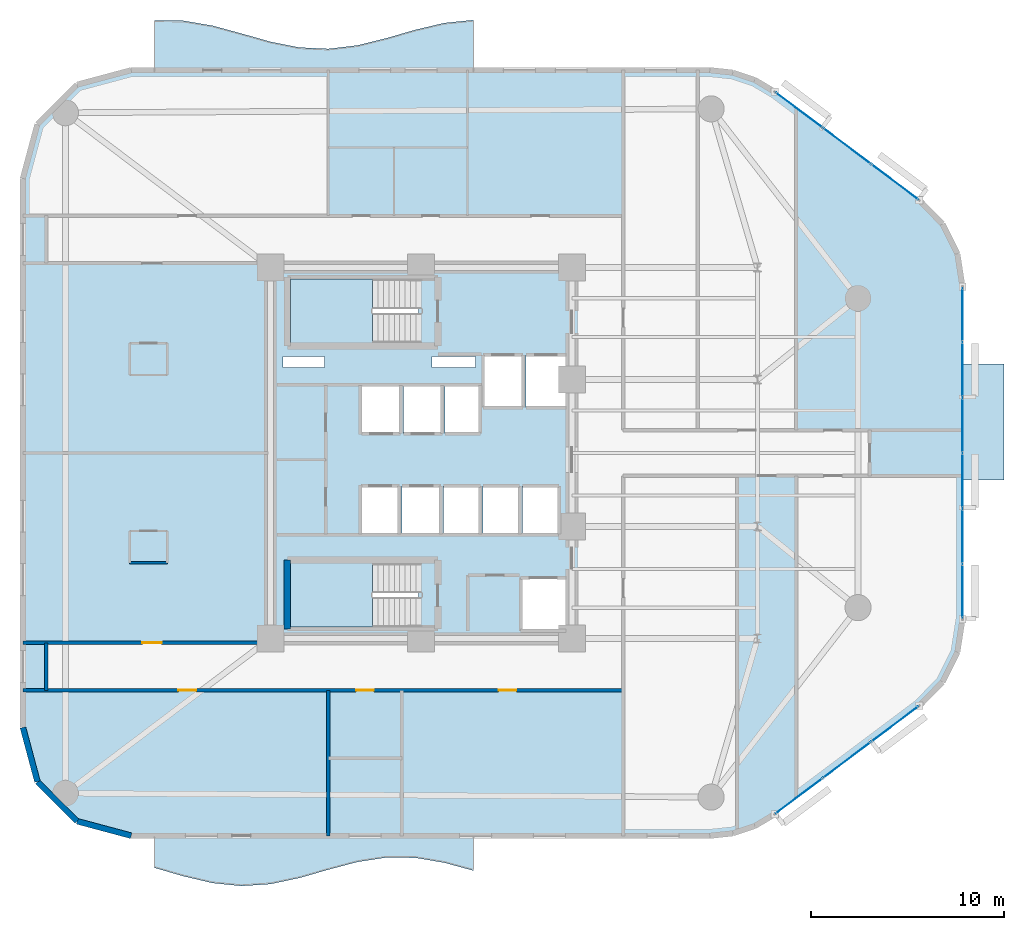
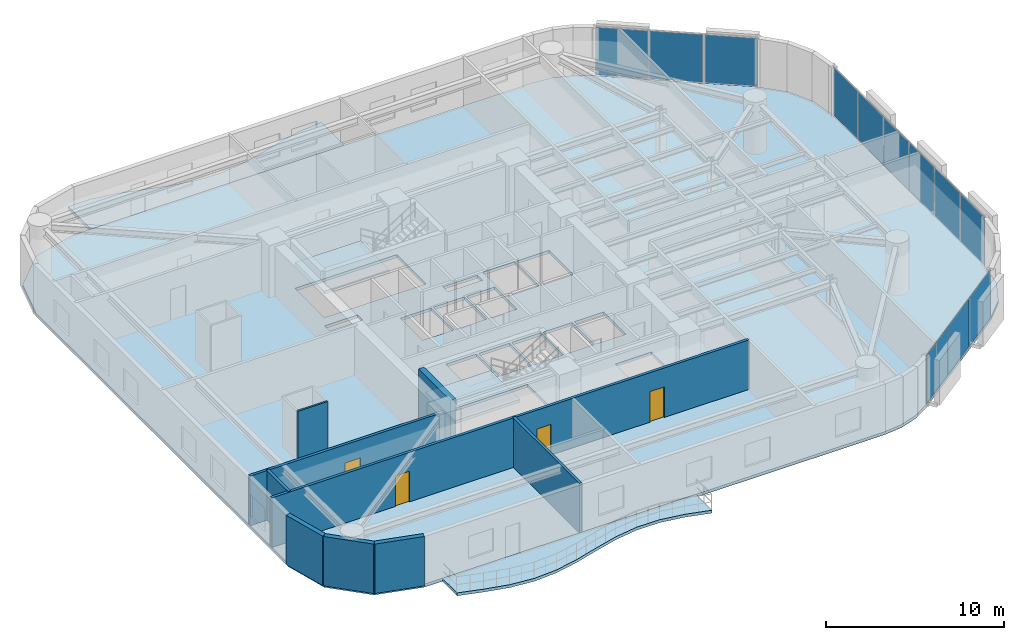
# One storey, part 9 of 16: 12 plates, 9 walls, 6 slabs, 4 doors, 4 openings, 5 elements without a shape of their own.
"""IFC4 building model written with IfcOpenShell, lengths in metres."""

from ifc_helpers import new_model, si_unit, direction, frame, frame_2d, origin, origin_2d, place, context, subcontext, project, spatial, polyline, rectangle, outline, extrude, material, layer, layer_set, type_object, element, fill, aggregate, save


model = new_model("IFC4")

# Units and contexts
model_context = context("Model", 3, precision=1e-05, world=origin(), true_north=direction((0.0, 1.0)))
body_context = subcontext(model_context, "Body", "Model", "MODEL_VIEW")
ifc_project = project(units=[si_unit("LENGTHUNIT", "METRE"), si_unit("AREAUNIT", "SQUARE_METRE"), si_unit("VOLUMEUNIT", "CUBIC_METRE"), si_unit("PLANEANGLEUNIT", "RADIAN"), si_unit("MASSUNIT", "GRAM", prefix="KILO")], contexts=[model_context])

# Site, building, storey
site_placement = place(None, origin())
site = spatial("IfcSite", under=ifc_project, at=site_placement, CompositionType="ELEMENT")
building_placement = place(site_placement, origin())
building = spatial("IfcBuilding", under=site, at=building_placement, Name="An Khanh Terracotta Commons", CompositionType="ELEMENT")
storey_placement = place(building_placement, frame((0.0, 0.0, 118.699951171875)))
storey = spatial("IfcBuildingStorey", under=building, at=storey_placement, Name="L31", CompositionType="ELEMENT", Elevation=118.699951171875)

# Curtain wall, plates
ifc_material_1 = material(Name="Anodised Aluminium 6063-T6", Category="aluminium")
ifc_layer_1 = layer(ifc_material_1, 0.199951171875, Name="Anodised Aluminium 6063-T6")
ifc_layer_set_1 = layer_set([ifc_layer_1], Name="Anodised Aluminium 6063-T6")
curtain_wall_type = type_object("IfcCurtainWallType", Name="CW-SYS-02", PredefinedType="USERDEFINED", material=ifc_layer_set_1)
curtain_wall_1_placement = place(storey_placement, origin())
curtain_wall_1 = element("IfcCurtainWall", 1, at=curtain_wall_1_placement, inside=storey, type_object=curtain_wall_type, Name="L31 CW-02 Unitised Curtain Wall CW-L31-08", ObjectType="UNITISED CURTAIN WALL", PredefinedType="USERDEFINED")
ifc_material_2 = material(Name="Double Low-E Solar Control Glazing", Category="glass")
ifc_layer_2 = layer(ifc_material_2, 0.028076171875, Name="Double Low-E Solar Control Glazing")
ifc_layer_set_2 = layer_set([ifc_layer_2], Name="Double Low-E Solar Control Glazing")
plate_type = type_object("IfcPlateType", Name="CWP-IGU-28", PredefinedType="CURTAIN_PANEL", material=ifc_layer_set_2)
plate_1_placement = place(storey_placement, frame((48.951416015625, 6.263916015625, 0.06005859375), z_axis=(0.0, 0.0, 1.0), x_axis=(0.800012856594, 0.599982857492, 0.0)))
plate_1 = element("IfcPlate", 2, at=plate_1_placement, type_object=plate_type, Name="CW-02 panel 1.1", PredefinedType="CURTAIN_PANEL", context=body_context, shape_type="SweptSolid", body=[
    extrude(rectangle(XDim=3.006103515625, YDim=0.028076171875, at=origin_2d()), origin(), (0.0, 0.0, 1.0), 3.280029296875),
])
plate_2_placement = place(storey_placement, frame((51.426513671875, 8.1201171875, 0.06005859375), z_axis=(0.0, 0.0, 1.0), x_axis=(0.800012856594, 0.599982857492, 0.0)))
plate_2 = element("IfcPlate", 3, at=plate_2_placement, type_object=plate_type, Name="CW-02 panel 2.1", PredefinedType="CURTAIN_PANEL", context=body_context, shape_type="SweptSolid", body=[
    extrude(rectangle(XDim=3.041259765625, YDim=0.028076171875, at=origin_2d()), origin(), (0.0, 0.0, 1.0), 3.280029296875),
])
plate_3_placement = place(storey_placement, frame((53.901611328125, 9.97607421875, 0.06005859375), z_axis=(0.0, 0.0, 1.0), x_axis=(0.800012856594, 0.599982857492, 0.0)))
plate_3 = element("IfcPlate", 4, at=plate_3_placement, type_object=plate_type, Name="CW-02 panel 3.1", PredefinedType="CURTAIN_PANEL", context=body_context, shape_type="SweptSolid", body=[
    extrude(rectangle(XDim=3.006103515625, YDim=0.028076171875, at=origin_2d()), origin(), (0.0, 0.0, 1.0), 3.280029296875),
])
aggregate(curtain_wall_1, [plate_1, plate_2, plate_3])

curtain_wall_2_placement = place(storey_placement, origin())
curtain_wall_2 = element("IfcCurtainWall", 5, at=curtain_wall_2_placement, inside=storey, type_object=curtain_wall_type, Name="L31 CW-02 Unitised Curtain Wall CW-L31-12", ObjectType="UNITISED CURTAIN WALL", PredefinedType="USERDEFINED")
plate_4_placement = place(storey_placement, frame((57.39990234375, 16.850830078125, 0.06005859375), z_axis=(0.0, 0.0, 1.0), x_axis=(0.0, 1.0, 0.0)))
plate_4 = element("IfcPlate", 6, at=plate_4_placement, type_object=plate_type, Name="CW-02 panel 1.1", PredefinedType="CURTAIN_PANEL", context=body_context, shape_type="SweptSolid", body=[
    extrude(rectangle(XDim=2.76171875, YDim=0.028076171875, at=origin_2d()), origin(), (0.0, 0.0, 1.0), 3.280029296875),
])
plate_5_placement = place(storey_placement, frame((57.39990234375, 19.699951171875, 0.06005859375), z_axis=(0.0, 0.0, 1.0), x_axis=(0.0, 1.0, 0.0)))
plate_5 = element("IfcPlate", 7, at=plate_5_placement, type_object=plate_type, Name="CW-02 panel 2.1", PredefinedType="CURTAIN_PANEL", context=body_context, shape_type="SweptSolid", body=[
    extrude(rectangle(XDim=2.796630859375, YDim=0.028076171875, at=origin_2d()), origin(), (0.0, 0.0, 1.0), 3.280029296875),
])
plate_6_placement = place(storey_placement, frame((57.39990234375, 22.566650390625, 0.06005859375), z_axis=(0.0, 0.0, 1.0), x_axis=(0.0, 1.0, 0.0)))
plate_6 = element("IfcPlate", 8, at=plate_6_placement, type_object=plate_type, Name="CW-02 panel 3.1", PredefinedType="CURTAIN_PANEL", context=body_context, shape_type="SweptSolid", body=[
    extrude(rectangle(XDim=2.796630859375, YDim=0.028076171875, at=origin_2d()), origin(), (0.0, 0.0, 1.0), 3.280029296875),
])
plate_7_placement = place(storey_placement, frame((57.39990234375, 25.433349609375, 0.06005859375), z_axis=(0.0, 0.0, 1.0), x_axis=(0.0, 1.0, 0.0)))
plate_7 = element("IfcPlate", 9, at=plate_7_placement, type_object=plate_type, Name="CW-02 panel 4.1", PredefinedType="CURTAIN_PANEL", context=body_context, shape_type="SweptSolid", body=[
    extrude(rectangle(XDim=2.796630859375, YDim=0.028076171875, at=origin_2d()), origin(), (0.0, 0.0, 1.0), 3.280029296875),
])
plate_8_placement = place(storey_placement, frame((57.39990234375, 28.300048828125, 0.06005859375), z_axis=(0.0, 0.0, 1.0), x_axis=(0.0, 1.0, 0.0)))
plate_8 = element("IfcPlate", 10, at=plate_8_placement, type_object=plate_type, Name="CW-02 panel 5.1", PredefinedType="CURTAIN_PANEL", context=body_context, shape_type="SweptSolid", body=[
    extrude(rectangle(XDim=2.796630859375, YDim=0.028076171875, at=origin_2d()), origin(), (0.0, 0.0, 1.0), 3.280029296875),
])
plate_9_placement = place(storey_placement, frame((57.39990234375, 31.149169921875, 0.06005859375), z_axis=(0.0, 0.0, 1.0), x_axis=(0.0, 1.0, 0.0)))
plate_9 = element("IfcPlate", 11, at=plate_9_placement, type_object=plate_type, Name="CW-02 panel 6.1", PredefinedType="CURTAIN_PANEL", context=body_context, shape_type="SweptSolid", body=[
    extrude(rectangle(XDim=2.76171875, YDim=0.028076171875, at=origin_2d()), origin(), (0.0, 0.0, 1.0), 3.280029296875),
])
aggregate(curtain_wall_2, [plate_4, plate_5, plate_6, plate_7, plate_8, plate_9])

curtain_wall_3_placement = place(storey_placement, origin())
curtain_wall_3 = element("IfcCurtainWall", 12, at=curtain_wall_3_placement, inside=storey, type_object=curtain_wall_type, Name="L31 CW-02 Unitised Curtain Wall CW-L31-16", ObjectType="UNITISED CURTAIN WALL", PredefinedType="USERDEFINED")
plate_10_placement = place(storey_placement, frame((53.901611328125, 38.02392578125, 0.06005859375), z_axis=(0.0, 0.0, 1.0), x_axis=(-0.800012856594, 0.599982857492, 0.0)))
plate_10 = element("IfcPlate", 13, at=plate_10_placement, type_object=plate_type, Name="CW-02 panel 1.1", PredefinedType="CURTAIN_PANEL", context=body_context, shape_type="SweptSolid", body=[
    extrude(rectangle(XDim=3.006103515625, YDim=0.028076171875, at=origin_2d()), origin(), (0.0, 0.0, 1.0), 3.280029296875),
])
plate_11_placement = place(storey_placement, frame((51.426513671875, 39.8798828125, 0.06005859375), z_axis=(0.0, 0.0, 1.0), x_axis=(-0.800012856594, 0.599982857492, 0.0)))
plate_11 = element("IfcPlate", 14, at=plate_11_placement, type_object=plate_type, Name="CW-02 panel 2.1", PredefinedType="CURTAIN_PANEL", context=body_context, shape_type="SweptSolid", body=[
    extrude(rectangle(XDim=3.041259765625, YDim=0.028076171875, at=origin_2d()), origin(), (0.0, 0.0, 1.0), 3.280029296875),
])
plate_12_placement = place(storey_placement, frame((48.951416015625, 41.736083984375, 0.06005859375), z_axis=(0.0, 0.0, 1.0), x_axis=(-0.800012856594, 0.599982857492, 0.0)))
plate_12 = element("IfcPlate", 15, at=plate_12_placement, type_object=plate_type, Name="CW-02 panel 3.1", PredefinedType="CURTAIN_PANEL", context=body_context, shape_type="SweptSolid", body=[
    extrude(rectangle(XDim=3.006103515625, YDim=0.028076171875, at=origin_2d()), origin(), (0.0, 0.0, 1.0), 3.280029296875),
])
aggregate(curtain_wall_3, [plate_10, plate_11, plate_12])

# Slabs
ifc_material_3 = material(Name="Concrete C40/50", Category="concrete")
ifc_layer_3 = layer(ifc_material_3, 0.199951171875, Name="Concrete C40/50")
ifc_layer_set_3 = layer_set([ifc_layer_3], Name="Concrete C40/50")
slab_type_1 = type_object("IfcSlabType", Name="SLAB-BALC-200", PredefinedType="FLOOR", material=ifc_layer_set_3)
slab_1_placement = place(storey_placement, frame((0.0, 0.0, -0.199951171875)))
element("IfcSlab", 16, at=slab_1_placement, inside=storey, type_object=slab_type_1, Name="L31 S Sinusoidal Wave Balcony Slab", PredefinedType="FLOOR", context=body_context, shape_type="SweptSolid", body=[
    extrude(outline(polyline([(15.60009765625, 4.199951171875), (15.60009765625, 2.5439453125), (17.10009765625, 2.10888671875), (18.60009765625, 1.7548828125), (20.10009765625, 1.60205078125), (21.60009765625, 1.699951171875), (23.10009765625, 2.01806640625), (24.60009765625, 2.447998046875), (26.10009765625, 2.844970703125), (27.60009765625, 3.073974609375), (29.10009765625, 3.06005859375), (30.60009765625, 2.806884765625), (32.10009765625, 2.39892578125), (32.10009765625, 4.199951171875), (15.60009765625, 4.199951171875)])), origin(), (0.0, 0.0, 1.0), 0.199951171875),
])
slab_2_placement = place(storey_placement, frame((0.0, 0.0, -0.199951171875)))
element("IfcSlab", 17, at=slab_2_placement, inside=storey, type_object=slab_type_1, Name="L31 N Sinusoidal Wave Balcony Slab", PredefinedType="FLOOR", context=body_context, shape_type="SweptSolid", body=[
    extrude(outline(polyline([(32.10009765625, 43.800048828125), (32.10009765625, 46.39794921875), (30.60009765625, 46.2451171875), (29.10009765625, 45.89111328125), (27.60009765625, 45.4560546875), (26.10009765625, 45.0859375), (24.60009765625, 44.906005859375), (23.10009765625, 44.97705078125), (21.60009765625, 45.27490234375), (20.10009765625, 45.698974609375), (18.60009765625, 46.10693359375), (17.10009765625, 46.360107421875), (15.60009765625, 46.3740234375), (15.60009765625, 43.800048828125), (32.10009765625, 43.800048828125)])), origin(), (0.0, 0.0, 1.0), 0.199951171875),
])
ifc_layer_4 = layer(ifc_material_3, 0.22998046875, Name="Concrete C40/50")
ifc_layer_set_4 = layer_set([ifc_layer_4], Name="Concrete C40/50")
slab_type_2 = type_object("IfcSlabType", Name="SLAB-BOXROOF-230", PredefinedType="ROOF", material=ifc_layer_set_4)
slab_3_placement = place(storey_placement, frame((0.0, 0.0, -0.199951171875)))
element("IfcSlab", 18, at=slab_3_placement, inside=storey, type_object=slab_type_2, Name="L31 Shifted Social Kitchen Box Closing Roof Slab (L30)", PredefinedType="ROOF", context=body_context, shape_type="SweptSolid", body=[
    extrude(outline(polyline([(57.39990234375, 22.60009765625), (59.550048828125, 22.60009765625), (59.550048828125, 28.60009765625), (57.39990234375, 28.60009765625), (57.39990234375, 22.60009765625)])), origin(), (0.0, 0.0, 1.0), 0.199951171875),
])

# Stair, slab
ifc_material_4 = material(Name="Precast concrete C40/50", Category="concrete")
stair_type = type_object("IfcStairType", Name="STAIR-CORE-1550", PredefinedType="HALF_TURN_STAIR", material=ifc_material_4)
stair_1_placement = place(storey_placement, origin())
stair_1 = element("IfcStair", 19, at=stair_1_placement, inside=storey, type_object=stair_type, Name="L31 Core Smokeproof Exit Stair ST-01", PredefinedType="HALF_TURN_STAIR")
ifc_layer_5 = layer(ifc_material_3, 0.18994140625, Name="Concrete C40/50")
ifc_layer_set_5 = layer_set([ifc_layer_5], Name="Concrete C40/50")
slab_type_3 = type_object("IfcSlabType", Name="SLAB-LANDING-190", PredefinedType="LANDING", material=ifc_layer_set_5)
slab_4_placement = place(storey_placement, frame((0.0, 0.0, 1.60009765625)))
slab_4 = element("IfcSlab", 20, at=slab_4_placement, type_object=slab_type_3, Name="ST-01 landing 1", PredefinedType="LANDING", context=body_context, shape_type="SweptSolid", body=[
    extrude(outline(polyline([(26.889892578125, 33.0), (22.64990234375, 33.0), (22.64990234375, 29.699951171875), (26.889892578125, 29.699951171875), (26.889892578125, 33.0)])), origin(), (0.0, 0.0, 1.0), 0.199951171875),
])
aggregate(stair_1, [slab_4])

stair_2_placement = place(storey_placement, origin())
stair_2 = element("IfcStair", 21, at=stair_2_placement, inside=storey, type_object=stair_type, Name="L31 Core Smokeproof Exit Stair ST-02", PredefinedType="HALF_TURN_STAIR")
slab_5_placement = place(storey_placement, frame((0.0, 0.0, 1.60009765625)))
slab_5 = element("IfcSlab", 22, at=slab_5_placement, type_object=slab_type_3, Name="ST-02 landing 1", PredefinedType="LANDING", context=body_context, shape_type="SweptSolid", body=[
    extrude(outline(polyline([(26.889892578125, 18.300048828125), (22.64990234375, 18.300048828125), (22.64990234375, 15.0), (26.889892578125, 15.0), (26.889892578125, 18.300048828125)])), origin(), (0.0, 0.0, 1.0), 0.199951171875),
])
aggregate(stair_2, [slab_5])

# Slab
ifc_layer_6 = layer(ifc_material_3, 0.199951171875, Name="Concrete C40/50")
ifc_layer_set_6 = layer_set([ifc_layer_6], Name="Concrete C40/50")
slab_type_4 = type_object("IfcSlabType", Name="SLAB-TYP-200", PredefinedType="FLOOR", material=ifc_layer_set_6)
slab_6_placement = place(storey_placement, frame((0.0, 0.0, -0.199951171875)))
element("IfcSlab", 23, at=slab_6_placement, inside=storey, type_object=slab_type_4, Name="L31 Structural Floor Slab", PredefinedType="FLOOR", context=body_context, shape_type="SweptSolid", body=[
    extrude(outline(polyline([(8.800048828125, 9.800048828125), (9.550048828125, 7.0), (11.60009765625, 4.949951171875), (14.39990234375, 4.199951171875), (44.3330078125, 4.199951171875), (45.52490234375, 4.327880859375), (46.6630859375, 4.70703125), (47.693115234375, 5.320068359375), (55.159912109375, 10.919921875), (56.364013671875, 12.154052734375), (57.135009765625, 13.696044921875), (57.39990234375, 15.39990234375), (57.39990234375, 32.60009765625), (57.135009765625, 34.303955078125), (56.364013671875, 35.845947265625), (55.159912109375, 37.080078125), (47.693115234375, 42.679931640625), (46.6630859375, 43.29296875), (45.52490234375, 43.672119140625), (44.3330078125, 43.800048828125), (14.39990234375, 43.800048828125), (11.60009765625, 43.050048828125), (9.550048828125, 41.0), (8.800048828125, 38.199951171875), (8.800048828125, 9.800048828125)]), holes=[polyline([(22.64990234375, 29.699951171875), (29.27001953125, 29.699951171875), (29.27001953125, 33.0), (22.64990234375, 33.0), (22.64990234375, 29.699951171875)]), polyline([(22.64990234375, 15.0), (29.27001953125, 15.0), (29.27001953125, 18.300048828125), (22.64990234375, 18.300048828125), (22.64990234375, 15.0)]), polyline([(32.60009765625, 26.35009765625), (34.679931640625, 26.35009765625), (34.679931640625, 29.080078125), (32.60009765625, 29.080078125), (32.60009765625, 26.35009765625)]), polyline([(34.820068359375, 26.35009765625), (36.89990234375, 26.35009765625), (36.89990234375, 29.080078125), (34.820068359375, 29.080078125), (34.820068359375, 26.35009765625)]), polyline([(34.550048828125, 14.800048828125), (36.89990234375, 14.800048828125), (36.89990234375, 17.550048828125), (34.550048828125, 17.550048828125), (34.550048828125, 14.800048828125)]), polyline([(26.320068359375, 25.0), (28.340087890625, 25.0), (28.340087890625, 27.5), (26.320068359375, 27.5), (26.320068359375, 25.0)]), polyline([(28.47998046875, 25.0), (30.5, 25.0), (30.5, 27.5), (28.47998046875, 27.5), (28.47998046875, 25.0)]), polyline([(26.280029296875, 19.800048828125), (28.280029296875, 19.800048828125), (28.280029296875, 22.300048828125), (26.280029296875, 22.300048828125), (26.280029296875, 19.800048828125)]), polyline([(28.419921875, 19.800048828125), (30.419921875, 19.800048828125), (30.419921875, 22.300048828125), (28.419921875, 22.300048828125), (28.419921875, 19.800048828125)]), polyline([(30.639892578125, 25.0), (32.4599609375, 25.0), (32.4599609375, 27.5), (30.639892578125, 27.5), (30.639892578125, 25.0)]), polyline([(30.56005859375, 19.800048828125), (32.4599609375, 19.800048828125), (32.4599609375, 22.300048828125), (30.56005859375, 22.300048828125), (30.56005859375, 19.800048828125)]), polyline([(32.60009765625, 19.800048828125), (34.5, 19.800048828125), (34.5, 22.300048828125), (32.60009765625, 22.300048828125), (32.60009765625, 19.800048828125)]), polyline([(34.639892578125, 19.800048828125), (36.5400390625, 19.800048828125), (36.5400390625, 22.300048828125), (34.639892578125, 22.300048828125), (34.639892578125, 19.800048828125)]), polyline([(22.25, 28.419921875), (24.39990234375, 28.419921875), (24.39990234375, 28.97998046875), (22.25, 28.97998046875), (22.25, 28.419921875)]), polyline([(29.949951171875, 28.419921875), (32.199951171875, 28.419921875), (32.199951171875, 28.97998046875), (29.949951171875, 28.97998046875), (29.949951171875, 28.419921875)])]), origin(), (0.0, 0.0, 1.0), 0.199951171875),
])

# Wall, openings, doors
ifc_material_5 = material(Name="Fire-Rated Gypsum Board on Steel Stud", Category="steel")
ifc_layer_7 = layer(ifc_material_5, 0.179931640625, Name="Fire-Rated Gypsum Board on Steel Stud")
ifc_layer_set_7 = layer_set([ifc_layer_7], Name="Fire-Rated Gypsum Board on Steel Stud")
wall_type_1 = type_object("IfcWallType", Name="WALL-CORR-180", PredefinedType="PARTITIONING", material=ifc_layer_set_7)
wall_1_placement = place(storey_placement, frame((8.800048828125, 11.719970703125, 0.0), z_axis=(0.0, 0.0, 1.0), x_axis=(1.0, 0.0, 0.0)))
wall_1 = element("IfcWall", 24, at=wall_1_placement, inside=storey, type_object=wall_type_1, Name="L31 Interior Partition IW-L31-E002", PredefinedType="PARTITIONING", context=body_context, shape_type="SweptSolid", body=[
    extrude(rectangle(XDim=31.050048828125, YDim=0.179931640625, at=frame_2d((15.52490234375, 0.0))), origin(), (0.0, 0.0, 1.0), 3.400146484375),
])
opening_1_placement = place(wall_1_placement, frame((17.239990234375, 0.0, 0.0)))
opening_1 = element("IfcOpeningElement", 25, at=opening_1_placement, cuts=wall_1, Name="Opening D-RM", PredefinedType="OPENING", context=body_context, shape_type="SweptSolid", body=[
    extrude(rectangle(XDim=0.919921875, YDim=2.10009765625, at=frame_2d((0.4599609375, 1.050048828125))), frame((0.0, 0.099853515625, 0.0), z_axis=(0.0, -1.0, 0.0), x_axis=(1.0, 0.0, 0.0)), (0.0, 0.0, 1.0), 0.199951171875),
])
opening_2_placement = place(wall_1_placement, frame((8.0400390625, 0.0, 0.0)))
opening_2 = element("IfcOpeningElement", 26, at=opening_2_placement, cuts=wall_1, Name="Opening D-RM", PredefinedType="OPENING", context=body_context, shape_type="SweptSolid", body=[
    extrude(rectangle(XDim=0.919921875, YDim=2.10009765625, at=frame_2d((0.4599609375, 1.050048828125))), frame((0.0, 0.099853515625, 0.0), z_axis=(0.0, -1.0, 0.0), x_axis=(1.0, 0.0, 0.0)), (0.0, 0.0, 1.0), 0.199951171875),
])
opening_3_placement = place(wall_1_placement, frame((24.60498046875, 0.0, 0.0)))
opening_3 = element("IfcOpeningElement", 27, at=opening_3_placement, cuts=wall_1, Name="Opening D-RM", PredefinedType="OPENING", context=body_context, shape_type="SweptSolid", body=[
    extrude(rectangle(XDim=0.919921875, YDim=2.10009765625, at=frame_2d((0.4599609375, 1.050048828125))), frame((0.0, 0.099853515625, 0.0), z_axis=(0.0, -1.0, 0.0), x_axis=(1.0, 0.0, 0.0)), (0.0, 0.0, 1.0), 0.199951171875),
])
ifc_material_6 = material(Name="Engineered Hardwood Timber Leaf", Category="wood")
door_type_1 = type_object("IfcDoorType", Name="DOOR-INT-920", OperationType="NOTDEFINED", PredefinedType="DOOR", material=ifc_material_6)
door_1_placement = place(opening_1_placement, origin())
door_1 = element("IfcDoor", 28, at=door_1_placement, inside=storey, type_object=door_type_1, Name="L31 HKP Housekeeping Linen Store Door", OperationType="SINGLE_SWING_LEFT", OverallHeight=2.10009765625, OverallWidth=0.919921875, PredefinedType="DOOR", context=body_context, shape_type="SweptSolid", body=[
    extrude(rectangle(XDim=0.919921875, YDim=2.10009765625, at=frame_2d((0.4599609375, 1.050048828125))), frame((0.0, 0.02490234375, 0.0), z_axis=(0.0, -1.0, 0.0), x_axis=(1.0, 0.0, 0.0)), (0.0, 0.0, 1.0), 0.050048828125),
])
fill(opening_1, door_1)
door_2_placement = place(opening_2_placement, origin())
door_2 = element("IfcDoor", 29, at=door_2_placement, inside=storey, type_object=door_type_1, Name="L31 SW1 Research Study Office Door", OperationType="SINGLE_SWING_LEFT", OverallHeight=2.10009765625, OverallWidth=0.919921875, PredefinedType="DOOR", context=body_context, shape_type="SweptSolid", body=[
    extrude(rectangle(XDim=0.919921875, YDim=2.10009765625, at=frame_2d((0.4599609375, 1.050048828125))), frame((0.0, 0.02490234375, 0.0), z_axis=(0.0, -1.0, 0.0), x_axis=(1.0, 0.0, 0.0)), (0.0, 0.0, 1.0), 0.050048828125),
])
fill(opening_2, door_2)
door_3_placement = place(opening_3_placement, origin())
door_3 = element("IfcDoor", 30, at=door_3_placement, inside=storey, type_object=door_type_1, Name="L31 SWE Research Study Office Door", OperationType="SINGLE_SWING_RIGHT", OverallHeight=2.10009765625, OverallWidth=0.919921875, PredefinedType="DOOR", context=body_context, shape_type="SweptSolid", body=[
    extrude(rectangle(XDim=0.919921875, YDim=2.10009765625, at=frame_2d((0.4599609375, 1.050048828125))), frame((0.0, 0.02490234375, 0.0), z_axis=(0.0, -1.0, 0.0), x_axis=(1.0, 0.0, 0.0)), (0.0, 0.0, 1.0), 0.050048828125),
])
fill(opening_3, door_3)

# Wall, opening, door
wall_2_placement = place(storey_placement, frame((8.800048828125, 14.179931640625, 0.0), z_axis=(0.0, 0.0, 1.0), x_axis=(1.0, 0.0, 0.0)))
wall_2 = element("IfcWall", 31, at=wall_2_placement, inside=storey, type_object=wall_type_1, Name="L31 Interior Partition IW-L31-E003", PredefinedType="PARTITIONING", context=body_context, shape_type="SweptSolid", body=[
    extrude(rectangle(XDim=12.679931640625, YDim=0.179931640625, at=frame_2d((6.33984375, 0.0))), origin(), (0.0, 0.0, 1.0), 3.400146484375),
])
opening_4_placement = place(wall_2_placement, frame((6.179931640625, 0.0, 0.0)))
opening_4 = element("IfcOpeningElement", 32, at=opening_4_placement, cuts=wall_2, Name="Opening D-UN", PredefinedType="OPENING", context=body_context, shape_type="SweptSolid", body=[
    extrude(rectangle(XDim=1.0, YDim=2.14990234375, at=frame_2d((0.5, 1.074951171875))), frame((0.0, 0.099853515625, 0.0), z_axis=(0.0, -1.0, 0.0), x_axis=(1.0, 0.0, 0.0)), (0.0, 0.0, 1.0), 0.199951171875),
])
ifc_material_7 = material(Name="Solid-Core Hardwood Acoustic Fire Door", Category="wood")
door_type_2 = type_object("IfcDoorType", Name="DOOR-UNIT-1000", OperationType="NOTDEFINED", PredefinedType="DOOR", material=ifc_material_7)
door_4_placement = place(opening_4_placement, origin())
door_4 = element("IfcDoor", 33, at=door_4_placement, inside=storey, type_object=door_type_2, Name="L31 WW1 Kitchenette and Studio Apartment Door", OperationType="SINGLE_SWING_LEFT", OverallHeight=2.14990234375, OverallWidth=1.0, PredefinedType="DOOR", context=body_context, shape_type="SweptSolid", body=[
    extrude(rectangle(XDim=1.0, YDim=2.14990234375, at=frame_2d((0.5, 1.074951171875))), frame((0.0, 0.02490234375, 0.0), z_axis=(0.0, -1.0, 0.0), x_axis=(1.0, 0.0, 0.0)), (0.0, 0.0, 1.0), 0.050048828125),
])
fill(opening_4, door_4)

# Walls
wall_3_placement = place(storey_placement, frame((10.0, 11.719970703125, 0.0), z_axis=(0.0, 0.0, 1.0), x_axis=(0.0, 1.0, 0.0)))
element("IfcWall", 34, at=wall_3_placement, inside=storey, type_object=wall_type_1, Name="L31 Interior Partition IW-L31-E010", PredefinedType="PARTITIONING", context=body_context, shape_type="SweptSolid", body=[
    extrude(rectangle(XDim=2.4599609375, YDim=0.179931640625, at=frame_2d((1.22998046875, 0.0))), origin(), (0.0, 0.0, 1.0), 3.400146484375),
])
wall_4_placement = place(storey_placement, frame((24.60009765625, 4.199951171875, 0.0), z_axis=(0.0, 0.0, 1.0), x_axis=(0.0, 1.0, 0.0)))
element("IfcWall", 35, at=wall_4_placement, inside=storey, type_object=wall_type_1, Name="L31 Interior Partition IW-L31-E012", PredefinedType="PARTITIONING", context=body_context, shape_type="SweptSolid", body=[
    extrude(rectangle(XDim=7.52001953125, YDim=0.179931640625, at=frame_2d((3.760009765625, 0.0))), origin(), (0.0, 0.0, 1.0), 3.400146484375),
])
ifc_layer_8 = layer(ifc_material_4, 0.300048828125, Name="Precast concrete C40/50")
ifc_layer_set_8 = layer_set([ifc_layer_8], Name="Precast concrete C40/50")
wall_type_2 = type_object("IfcWallType", Name="WALL-EXT-300", PredefinedType="SOLIDWALL", material=ifc_layer_set_8)
wall_5_placement = place(storey_placement, frame((8.800048828125, 9.800048828125, 0.0), z_axis=(0.0, 0.0, 1.0), x_axis=(0.258731875344, -0.96594917914, 0.0)))
element("IfcWall", 36, at=wall_5_placement, inside=storey, type_object=wall_type_2, Name="L31 Insulated Terracotta Exterior Wall 1", PredefinedType="SOLIDWALL", context=body_context, shape_type="SweptSolid", body=[
    extrude(rectangle(XDim=2.898681640625, YDim=0.300048828125, at=frame_2d((1.44921875, 0.0))), origin(), (0.0, 0.0, 1.0), 3.400146484375),
])
wall_6_placement = place(storey_placement, frame((9.550048828125, 7.0, 0.0), z_axis=(0.0, 0.0, 1.0), x_axis=(0.707106781187, -0.707106781187, 0.0)))
element("IfcWall", 37, at=wall_6_placement, inside=storey, type_object=wall_type_2, Name="L31 Insulated Terracotta Exterior Wall 2", PredefinedType="SOLIDWALL", context=body_context, shape_type="SweptSolid", body=[
    extrude(rectangle(XDim=2.899169921875, YDim=0.300048828125, at=frame_2d((1.44970703125, 0.0))), origin(), (0.0, 0.0, 1.0), 3.400146484375),
])
wall_7_placement = place(storey_placement, frame((11.60009765625, 4.949951171875, 0.0), z_axis=(0.0, 0.0, 1.0), x_axis=(0.965943540406, -0.258752926066, 0.0)))
element("IfcWall", 38, at=wall_7_placement, inside=storey, type_object=wall_type_2, Name="L31 Insulated Terracotta Exterior Wall 3", PredefinedType="SOLIDWALL", context=body_context, shape_type="SweptSolid", body=[
    extrude(rectangle(XDim=2.8984375, YDim=0.300048828125, at=frame_2d((1.44921875, 0.0))), origin(), (0.0, 0.0, 1.0), 3.400146484375),
])
ifc_material_8 = material(Name="Concrete C50/60", Category="concrete")
ifc_layer_9 = layer(ifc_material_8, 0.35009765625, Name="Concrete C50/60")
ifc_layer_set_9 = layer_set([ifc_layer_9], Name="Concrete C50/60")
wall_type_3 = type_object("IfcWallType", Name="WALL-SHAFT-350", PredefinedType="SOLIDWALL", material=ifc_layer_set_9)
wall_8_placement = place(storey_placement, frame((22.47998046875, 14.889892578125, 0.0), z_axis=(0.0, 0.0, 1.0), x_axis=(0.0, 1.0, 0.0)))
element("IfcWall", 39, at=wall_8_placement, inside=storey, type_object=wall_type_3, Name="L31 Core Wall STW-L31-S-W", PredefinedType="SOLIDWALL", context=body_context, shape_type="SweptSolid", body=[
    extrude(rectangle(XDim=3.580078125, YDim=0.35009765625, at=frame_2d((1.7900390625, 0.0))), origin(), (0.0, 0.0, 1.0), 3.400146484375),
])
ifc_material_9 = material(Name="Moisture-Resistant Cement Board Partition")
ifc_layer_10 = layer(ifc_material_9, 0.1201171875, Name="Moisture-Resistant Cement Board Partition")
ifc_layer_set_10 = layer_set([ifc_layer_10], Name="Moisture-Resistant Cement Board Partition")
wall_type_4 = type_object("IfcWallType", Name="WALL-WET-120", PredefinedType="PARTITIONING", material=ifc_layer_set_10)
wall_9_placement = place(storey_placement, frame((16.27490234375, 18.31494140625, 0.0), z_axis=(0.0, 0.0, 1.0), x_axis=(-1.0, 0.0, 0.0)))
element("IfcWall", 40, at=wall_9_placement, inside=storey, type_object=wall_type_4, Name="L31 Interior Partition IW-L31-WW1-BS", PredefinedType="PARTITIONING", context=body_context, shape_type="SweptSolid", body=[
    extrude(rectangle(XDim=1.949951171875, YDim=0.1201171875, at=frame_2d((0.97509765625, 0.0))), origin(), (0.0, 0.0, 1.0), 3.400146484375),
])

save(model, "model.ifc")
